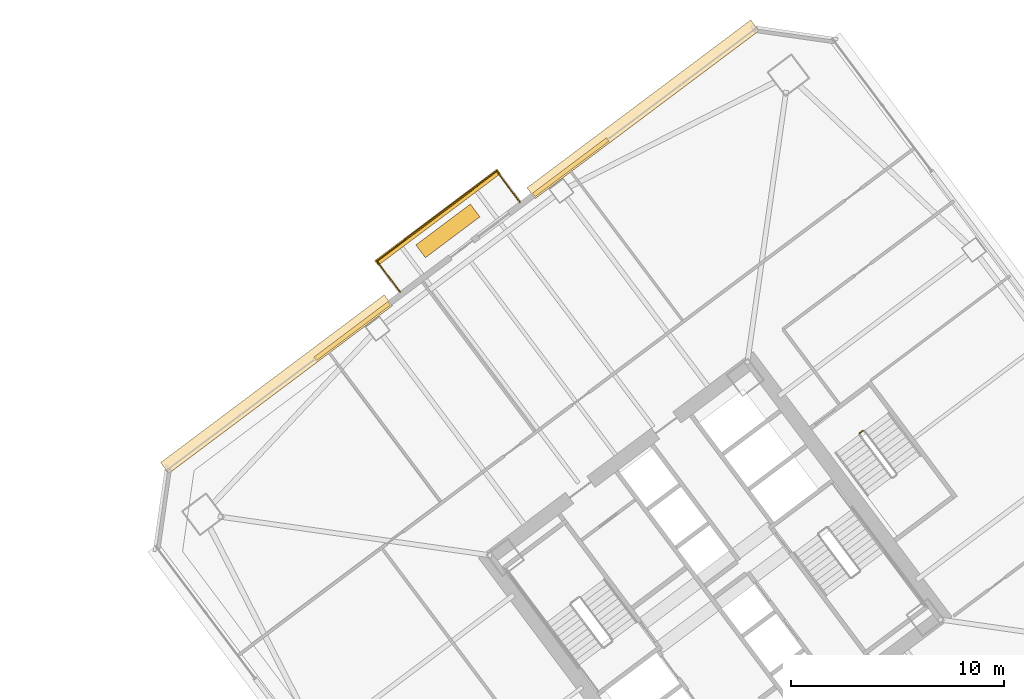
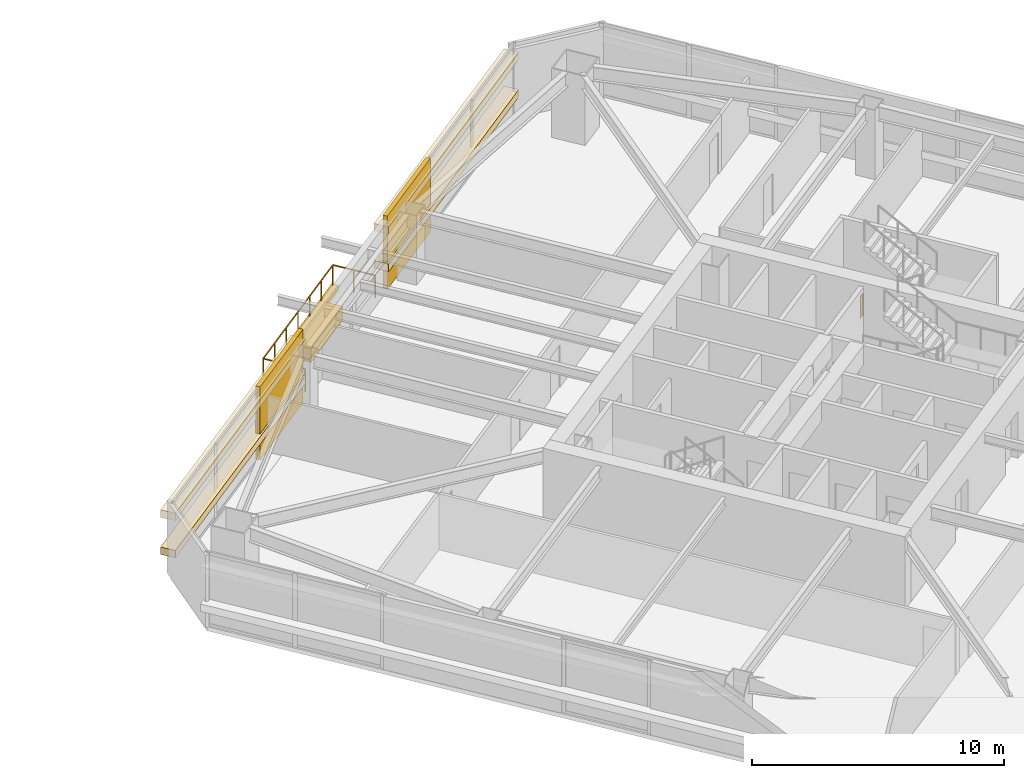
# One storey, part 43 of 44: 8 coverings, 4 railings.
"""IFC4 building model written with IfcOpenShell, lengths in metres."""

import ifcopenshell
import ifcopenshell.guid

model = None  # the IFC model being written
_history = None  # IfcOwnerHistory: only IFC2X3 demands one
_inside = {}  # id of a spatial element -> (the spatial element, [elements in it])
_under = {}  # id of a project, library or spatial element -> (it, [spatial elements below it])
_declared = {}  # id of a project -> (the project, [libraries it declares])
_typed = {}  # id of a type object -> (the type object, [elements of that type])
_made_of = {}  # id of a material, layer set ... -> (it, [elements and type objects made of it])


def new_model(schema):
    """Start an empty IFC model of exactly this schema.

    Asked for "IFC4X3", IfcOpenShell would pick the latest addendum, in which some entities
    have other attributes; the version numbers below select the first issue.
    IFC2X3 requires an IfcOwnerHistory on every rooted entity: one is made here for all.
    """
    global model, _history
    if schema == "IFC4X3":
        model = ifcopenshell.file(schema_version=(4, 3, 0, 0))
    else:
        model = ifcopenshell.file(schema=schema)
    _inside.clear()
    _under.clear()
    _declared.clear()
    _typed.clear()
    _made_of.clear()
    _history = None
    if model.schema == "IFC2X3":
        org = make("IfcOrganization", Name="unknown")
        user = make(
            "IfcPersonAndOrganization",
            ThePerson=make("IfcPerson", FamilyName="unknown"),
            TheOrganization=org,
        )
        app = make(
            "IfcApplication",
            ApplicationDeveloper=org,
            Version="unknown",
            ApplicationFullName="unknown",
            ApplicationIdentifier="unknown",
        )
        _history = make(
            "IfcOwnerHistory",
            OwningUser=user,
            OwningApplication=app,
            ChangeAction="ADDED",
            CreationDate=0,
        )
    return model


def make(cls, **values):
    """One entity of the class cls with the attributes given. An attribute that is None is left unset."""
    return model.create_entity(
        cls, **{name: value for name, value in values.items() if value is not None}
    )


def rooted(cls, **values):
    """An entity with a GlobalId (a new one), such as an element, a storey or a relation."""
    return make(cls, GlobalId=ifcopenshell.guid.new(), OwnerHistory=_history, **values)


def si_unit(unit_type, name, prefix=None):
    """IfcSIUnit, for example si_unit("LENGTHUNIT", "METRE", prefix="MILLI")."""
    return make("IfcSIUnit", UnitType=unit_type, Prefix=prefix, Name=name)


def assignment(units):
    """IfcUnitAssignment: the units of a project."""
    return None if units is None else make("IfcUnitAssignment", Units=units)


def point(xyz):
    """IfcCartesianPoint."""
    return None if xyz is None else make("IfcCartesianPoint", Coordinates=xyz)


def direction(xyz):
    """IfcDirection."""
    return None if xyz is None else make("IfcDirection", DirectionRatios=xyz)


def frame(location, z_axis=None, x_axis=None):
    """IfcAxis2Placement3D, a coordinate frame: its origin and axes. An axis left out is left unset."""
    return make(
        "IfcAxis2Placement3D",
        Location=point(location),
        Axis=direction(z_axis),
        RefDirection=direction(x_axis),
    )


def frame_2d(location, x_axis=None):
    """IfcAxis2Placement2D, a coordinate frame in the plane: its origin and x axis."""
    return make(
        "IfcAxis2Placement2D", Location=point(location), RefDirection=direction(x_axis)
    )


def origin():
    """The frame at (0, 0, 0) with its axes left unset."""
    return frame((0.0, 0.0, 0.0))


def origin_2d():
    """The frame at (0, 0) in the plane with its x axis left unset."""
    return frame_2d((0.0, 0.0))


def place(relative_to, where):
    """IfcLocalPlacement: puts the frame where relative to a parent placement (None: the world)."""
    return make(
        "IfcLocalPlacement", PlacementRelTo=relative_to, RelativePlacement=where
    )


def context(
    kind, dimensions, precision=None, world=None, true_north=None, identifier=None
):
    """IfcGeometricRepresentationContext, for example the 3D "Model" context."""
    return make(
        "IfcGeometricRepresentationContext",
        ContextIdentifier=identifier,
        ContextType=kind,
        CoordinateSpaceDimension=dimensions,
        Precision=precision,
        WorldCoordinateSystem=world,
        TrueNorth=true_north,
    )


def subcontext(parent, identifier, kind, view, scale=None):
    """IfcGeometricRepresentationSubContext, for example "Body" below "Model"."""
    return make(
        "IfcGeometricRepresentationSubContext",
        ContextIdentifier=identifier,
        ContextType=kind,
        ParentContext=parent,
        TargetScale=scale,
        TargetView=view,
    )


def project(units=None, contexts=None):
    """IfcProject with its units and contexts."""
    return rooted(
        "IfcProject",
        Name="project",
        RepresentationContexts=contexts,
        UnitsInContext=assignment(units),
    )


def spatial(cls, under=None, at=None, **own):
    """A site, building, storey or space (cls), placed at a placement, below another one or the project."""
    s = rooted(cls, ObjectPlacement=at, **own)
    if under is not None:
        _under.setdefault(under.id(), (under, []))[1].append(s)
    return s


def profile(cls, at=None, kind="AREA", **sizes):
    """A parametric profile (cls). Its sizes go by their IFC names, for example OverallWidth=200.0."""
    return make(cls, ProfileType=kind, Position=at, **sizes)


def rectangle(**sizes):
    """IfcRectangleProfileDef."""
    return profile("IfcRectangleProfileDef", **sizes)


def extrude(swept, where, along, depth):
    """IfcExtrudedAreaSolid: the profile swept, set in the frame where, extruded along a direction by depth."""
    return make(
        "IfcExtrudedAreaSolid",
        SweptArea=swept,
        Position=where,
        ExtrudedDirection=direction(along),
        Depth=depth,
    )


def shape(context_of_items, identifier, shape_type, items):
    """IfcShapeRepresentation: the items that make up one representation, for example the "Body"."""
    return make(
        "IfcShapeRepresentation",
        ContextOfItems=context_of_items,
        RepresentationIdentifier=identifier,
        RepresentationType=shape_type,
        Items=items,
    )


def material(Name=None, Category=None):
    """IfcMaterial."""
    return make("IfcMaterial", Name=Name, Category=Category)


def layer(
    of_material, thickness, ventilated=None, Name=None, Category=None, Priority=None
):
    """IfcMaterialLayer: one layer of a wall or slab, of a material (None: an air gap)."""
    return make(
        "IfcMaterialLayer",
        Material=of_material,
        LayerThickness=thickness,
        IsVentilated=ventilated,
        Name=Name,
        Category=Category,
        Priority=Priority,
    )


def layer_set(layers, Name=None):
    """IfcMaterialLayerSet."""
    return make("IfcMaterialLayerSet", MaterialLayers=layers, LayerSetName=Name)


def made_of(thing, what):
    """Note that an element or type object is made of a material, layer set ...; save() writes the relation."""
    if what is not None:
        _made_of.setdefault(what.id(), (what, []))[1].append(thing)
    return thing


def type_object(cls, material=None, **own):
    """A type object (cls), such as IfcWallType, which elements share."""
    return made_of(rooted(cls, **own), material)


def element(
    cls,
    number,
    at=None,
    inside=None,
    cuts=None,
    type_object=None,
    material=None,
    context=None,
    identifier="Body",
    shape_type=None,
    held_by="IfcProductDefinitionShape",
    body=None,
    shapes=None,
    **own,
):
    """One element of the class cls, such as IfcWall. Its Tag is "e" and its number.

    at: its placement. inside: the storey or other place that contains it. cuts: it is an
    opening in that element (IfcRelVoidsElement). A single representation is given by context,
    identifier, shape_type and body (its items); several are given by shapes. held_by: the class
    of the entity that holds the representations. save() writes the other relations.
    """
    e = rooted(cls, Tag="e%d" % number, ObjectPlacement=at, **own)
    if body is not None:
        shapes = [shape(context, identifier, shape_type, body)]
    if shapes is not None:
        e.Representation = make(held_by, Representations=shapes)
    if inside is not None:
        _inside.setdefault(inside.id(), (inside, []))[1].append(e)
    if cuts is not None:
        rooted(
            "IfcRelVoidsElement", RelatingBuildingElement=cuts, RelatedOpeningElement=e
        )
    if type_object is not None:
        _typed.setdefault(type_object.id(), (type_object, []))[1].append(e)
    return made_of(e, material)


def aggregate(whole, parts):
    """IfcRelAggregates: a whole, such as a stair, and the parts it consists of."""
    return rooted("IfcRelAggregates", RelatingObject=whole, RelatedObjects=parts)


def save(model, path):
    """Write the relations noted so far, then the file.

    IfcRelAggregates (storeys below a building ...), IfcRelContainedInSpatialStructure (elements
    in a storey), IfcRelDefinesByType, IfcRelAssociatesMaterial and IfcRelDeclares: one each for
    every whole, place, type object, material and project.
    """
    for whole, parts in _under.values():
        aggregate(whole, parts)
    for where, things in _inside.values():
        rooted(
            "IfcRelContainedInSpatialStructure",
            RelatedElements=things,
            RelatingStructure=where,
        )
    for kind, things in _typed.values():
        rooted("IfcRelDefinesByType", RelatedObjects=things, RelatingType=kind)
    for what, things in _made_of.values():
        rooted("IfcRelAssociatesMaterial", RelatedObjects=things, RelatingMaterial=what)
    for by, libraries in _declared.values():
        rooted("IfcRelDeclares", RelatingContext=by, RelatedDefinitions=libraries)
    model.write(path)


model = new_model("IFC4")

# Units and contexts
model_context = context("Model", 3, precision=1e-05, world=origin(), true_north=direction((0.0, 1.0)))
body_context = subcontext(model_context, "Body", "Model", "MODEL_VIEW")
ifc_project = project(units=[si_unit("LENGTHUNIT", "METRE"), si_unit("AREAUNIT", "SQUARE_METRE"), si_unit("VOLUMEUNIT", "CUBIC_METRE"), si_unit("PLANEANGLEUNIT", "RADIAN"), si_unit("MASSUNIT", "GRAM", prefix="KILO")], contexts=[model_context])

# Site, building, storey
site_placement = place(None, origin())
site = spatial("IfcSite", under=ifc_project, at=site_placement, CompositionType="ELEMENT")
building_placement = place(site_placement, origin())
building = spatial("IfcBuilding", under=site, at=building_placement, Name="Tashvorn Skyway Center", CompositionType="ELEMENT")
storey_placement = place(building_placement, frame((0.0, 0.0, 92.050048828125)))
storey = spatial("IfcBuildingStorey", under=building, at=storey_placement, Name="L24", CompositionType="ELEMENT", Elevation=92.050048828125)

# Coverings
ifc_material_1 = material(Name="Precast concrete C40/50", Category="concrete")
ifc_layer_1 = layer(ifc_material_1, 0.199951171875)
ifc_layer_set_1 = layer_set([ifc_layer_1], Name="Precast concrete C40/50")
covering_type_1 = type_object("IfcCoveringType", Name="COV-BRACE-CLAD", PredefinedType="CLADDING", material=ifc_layer_set_1)
for number, where, z_axis, x_axis, name in (
    (1, (96.9345703125, 44.051025390625, 0.0), (0.0, 0.0, 1.0), (0.799999996291, 0.600000004945, 0.0), "Tower 2 L24 North Curtain Wall L Mega-Brace Cladding Band 1"),
    (2, (107.209228515625, 51.757080078125, 0.0), (0.0, 0.0, 1.0), (0.799999996291, 0.600000004945, 0.0), "Tower 2 L24 North Curtain Wall R Mega-Brace Cladding Band 1"),
):
    element("IfcCovering", number, at=place(storey_placement, frame(where, z_axis=z_axis, x_axis=x_axis)), inside=storey, type_object=covering_type_1, Name=name, PredefinedType="CLADDING", context=body_context, shape_type="SweptSolid", body=[
        extrude(rectangle(XDim=4.34326171875, YDim=0.199951171875, at=origin_2d()), origin(), (0.0, 0.0, 1.0), 3.550048828125),
    ])
ifc_material_2 = material(Name="Perforated ceramic-coated bronze aluminium solar screen", Category="aluminium")
ifc_layer_2 = layer(ifc_material_2, 0.85009765625)
ifc_layer_set_2 = layer_set([ifc_layer_2], Name="Perforated ceramic-coated bronze aluminium solar screen")
covering_type_2 = type_object("IfcCoveringType", Name="COV-SOLAR-BAND", PredefinedType="CLADDING", material=ifc_layer_set_2)
for number, where, z_axis, x_axis, name in (
    (3, (93.3759765625, 41.556884765625, 0.919921875), (0.0, 0.0, 1.0), (0.799999996291, 0.600000004945, 0.0), "L24 Perforated Ceramic-Metal Solar Screen Louvre Band North 1"),
    (4, (93.3759765625, 41.556884765625, 2.7197265625), (0.0, 0.0, 1.0), (0.799999996291, 0.600000004945, 0.0), "L24 Perforated Ceramic-Metal Solar Screen Louvre Band North 2"),
    (5, (110.60009765625, 54.47509765625, 0.919921875), (0.0, 0.0, 1.0), (0.799999996291, 0.600000004945, 0.0), "L24 Perforated Ceramic-Metal Solar Screen Louvre Band North 1"),
    (6, (110.60009765625, 54.47509765625, 2.7197265625), (0.0, 0.0, 1.0), (0.799999996291, 0.600000004945, 0.0), "L24 Perforated Ceramic-Metal Solar Screen Louvre Band North 2"),
):
    element("IfcCovering", number, at=place(storey_placement, frame(where, z_axis=z_axis, x_axis=x_axis)), inside=storey, type_object=covering_type_2, Name=name, PredefinedType="CLADDING", context=body_context, shape_type="SweptSolid", body=[
        extrude(rectangle(XDim=13.14990234375, YDim=0.639892578125, at=origin_2d()), origin(), (0.0, 0.0, 1.0), 0.360107421875),
    ])
ifc_layer_3 = layer(ifc_material_1, 0.35009765625)
ifc_layer_set_3 = layer_set([ifc_layer_3], Name="Precast concrete C40/50")
covering_type_3 = type_object("IfcCoveringType", Name="COV-STONE-TRIM", PredefinedType="CLADDING", material=ifc_layer_set_3)
covering_1_placement = place(storey_placement, frame((100.944091796875, 49.407958984375, -0.16015625), z_axis=(0.0, 0.0, 1.0), x_axis=(0.799999996291, 0.600000004945, 0.0)))
element("IfcCovering", 7, at=covering_1_placement, inside=storey, type_object=covering_type_3, Name="Tower 2 L24 Spiral Terrace Terracotta Fascia", PredefinedType="CLADDING", context=body_context, shape_type="SweptSolid", body=[
    extrude(rectangle(XDim=7.199951171875, YDim=0.280029296875, at=origin_2d()), origin(), (0.0, 0.0, 1.0), 0.280029296875),
])
covering_2_placement = place(storey_placement, frame((101.429931640625, 48.760009765625, 0.0), z_axis=(0.0, 0.0, 1.0), x_axis=(0.799999996291, 0.600000004945, 0.0)))
element("IfcCovering", 8, at=covering_2_placement, inside=storey, type_object=covering_type_3, Name="Tower 2 L24 Spiral Terrace Planter", PredefinedType="CLADDING", context=body_context, shape_type="SweptSolid", body=[
    extrude(rectangle(XDim=3.199951171875, YDim=0.75, at=origin_2d()), origin(), (0.0, 0.0, 1.0), 0.679931640625),
])

# Railings
ifc_material_3 = material(Name="Galvanized steel S355", Category="steel")
railing_type_1 = type_object("IfcRailingType", Name="RAIL-GUARD-1120", PredefinedType="GUARDRAIL", material=ifc_material_3)
railing_1_placement = place(storey_placement, frame((99.18408203125, 45.887939453125, 0.0)))
element("IfcRailing", 9, at=railing_1_placement, inside=storey, type_object=railing_type_1, Name="L24 Tower 2 Terrace Guardrail 01", PredefinedType="GUARDRAIL", context=body_context, shape_type="SweptSolid", body=[
    extrude(rectangle(XDim=0.048095703125, YDim=0.048095703125, at=origin_2d()), frame((0.0, 0.0, 1.09619140625), z_axis=(-0.6, 0.8, 0.0), x_axis=(-0.8, -0.6, 0.0)), (0.0, 0.0, 1.0), 1.820068359375),
    extrude(rectangle(XDim=0.0419921875, YDim=0.0419921875, at=origin_2d()), origin(), (0.0, 0.0, 1.0), 1.072021484375),
    extrude(rectangle(XDim=0.0419921875, YDim=0.0419921875, at=origin_2d()), frame((-0.5458984375, 0.72802734375, 0.0)), (0.0, 0.0, 1.0), 1.072021484375),
    extrude(rectangle(XDim=0.0419921875, YDim=0.0419921875, at=origin_2d()), frame((-1.092041015625, 1.4560546875, 0.0)), (0.0, 0.0, 1.0), 1.072021484375),
])
railing_2_placement = place(storey_placement, frame((98.092041015625, 47.343994140625, 0.0)))
element("IfcRailing", 10, at=railing_2_placement, inside=storey, type_object=railing_type_1, Name="L24 Tower 2 Terrace Guardrail 02", PredefinedType="GUARDRAIL", context=body_context, shape_type="SweptSolid", body=[
    extrude(rectangle(XDim=0.048095703125, YDim=0.048095703125, at=origin_2d()), frame((0.0, 0.0, 1.09619140625), z_axis=(0.799995838574, 0.600005548528, 0.0), x_axis=(-0.600005548528, 0.799995838574, 0.0)), (0.0, 0.0, 1.0), 7.0400390625),
    extrude(rectangle(XDim=0.0419921875, YDim=0.0419921875, at=origin_2d()), origin(), (0.0, 0.0, 1.0), 1.072021484375),
    extrude(rectangle(XDim=0.0419921875, YDim=0.0419921875, at=origin_2d()), frame((0.938720703125, 0.7041015625, 0.0)), (0.0, 0.0, 1.0), 1.072021484375),
    extrude(rectangle(XDim=0.0419921875, YDim=0.0419921875, at=origin_2d()), frame((1.87744140625, 1.407958984375, 0.0)), (0.0, 0.0, 1.0), 1.072021484375),
    extrude(rectangle(XDim=0.0419921875, YDim=0.0419921875, at=origin_2d()), frame((2.81591796875, 2.112060546875, 0.0)), (0.0, 0.0, 1.0), 1.072021484375),
    extrude(rectangle(XDim=0.0419921875, YDim=0.0419921875, at=origin_2d()), frame((3.754638671875, 2.816162109375, 0.0)), (0.0, 0.0, 1.0), 1.072021484375),
    extrude(rectangle(XDim=0.0419921875, YDim=0.0419921875, at=origin_2d()), frame((4.693359375, 3.52001953125, 0.0)), (0.0, 0.0, 1.0), 1.072021484375),
    extrude(rectangle(XDim=0.0419921875, YDim=0.0419921875, at=origin_2d()), frame((5.632080078125, 4.22412109375, 0.0)), (0.0, 0.0, 1.0), 1.072021484375),
])
railing_3_placement = place(storey_placement, frame((103.72412109375, 51.568115234375, 0.0)))
element("IfcRailing", 11, at=railing_3_placement, inside=storey, type_object=railing_type_1, Name="L24 Tower 2 Terrace Guardrail 03", PredefinedType="GUARDRAIL", context=body_context, shape_type="SweptSolid", body=[
    extrude(rectangle(XDim=0.048095703125, YDim=0.048095703125, at=origin_2d()), frame((0.0, 0.0, 1.09619140625), z_axis=(0.599914141212, -0.800064386893, 0.0), x_axis=(0.800064386893, 0.599914141212, 0.0)), (0.0, 0.0, 1.0), 1.81982421875),
    extrude(rectangle(XDim=0.0419921875, YDim=0.0419921875, at=origin_2d()), origin(), (0.0, 0.0, 1.0), 1.072021484375),
    extrude(rectangle(XDim=0.0419921875, YDim=0.0419921875, at=origin_2d()), frame((0.5458984375, -0.72802734375, 0.0)), (0.0, 0.0, 1.0), 1.072021484375),
    extrude(rectangle(XDim=0.0419921875, YDim=0.0419921875, at=origin_2d()), frame((1.091796875, -1.4560546875, 0.0)), (0.0, 0.0, 1.0), 1.072021484375),
])
ifc_material_4 = material(Name="Painted galvanized steel S355", Category="steel")
railing_type_2 = type_object("IfcRailingType", Name="RAIL-STGUARD-1100", PredefinedType="GUARDRAIL", material=ifc_material_4)
railing_4_placement = place(storey_placement, frame((120.785888671875, 39.251953125, 0.0)))
element("IfcRailing", 12, at=railing_4_placement, inside=storey, type_object=railing_type_2, Name="L24 ST-T2-3 stair guard 4", PredefinedType="GUARDRAIL", context=body_context, shape_type="SweptSolid", body=[
    extrude(rectangle(XDim=0.048095703125, YDim=0.048095703125, at=origin_2d()), frame((0.0, 0.0, 1.076171875), z_axis=(0.8, 0.6, 0.0), x_axis=(-0.6, 0.8, 0.0)), (0.0, 0.0, 1.0), 0.2001953125),
    extrude(rectangle(XDim=0.0419921875, YDim=0.0419921875, at=origin_2d()), origin(), (0.0, 0.0, 1.0), 1.052001953125),
    extrude(rectangle(XDim=0.0419921875, YDim=0.0419921875, at=origin_2d()), frame((0.16015625, 0.1201171875, 0.0)), (0.0, 0.0, 1.0), 1.052001953125),
])

save(model, "model.ifc")
